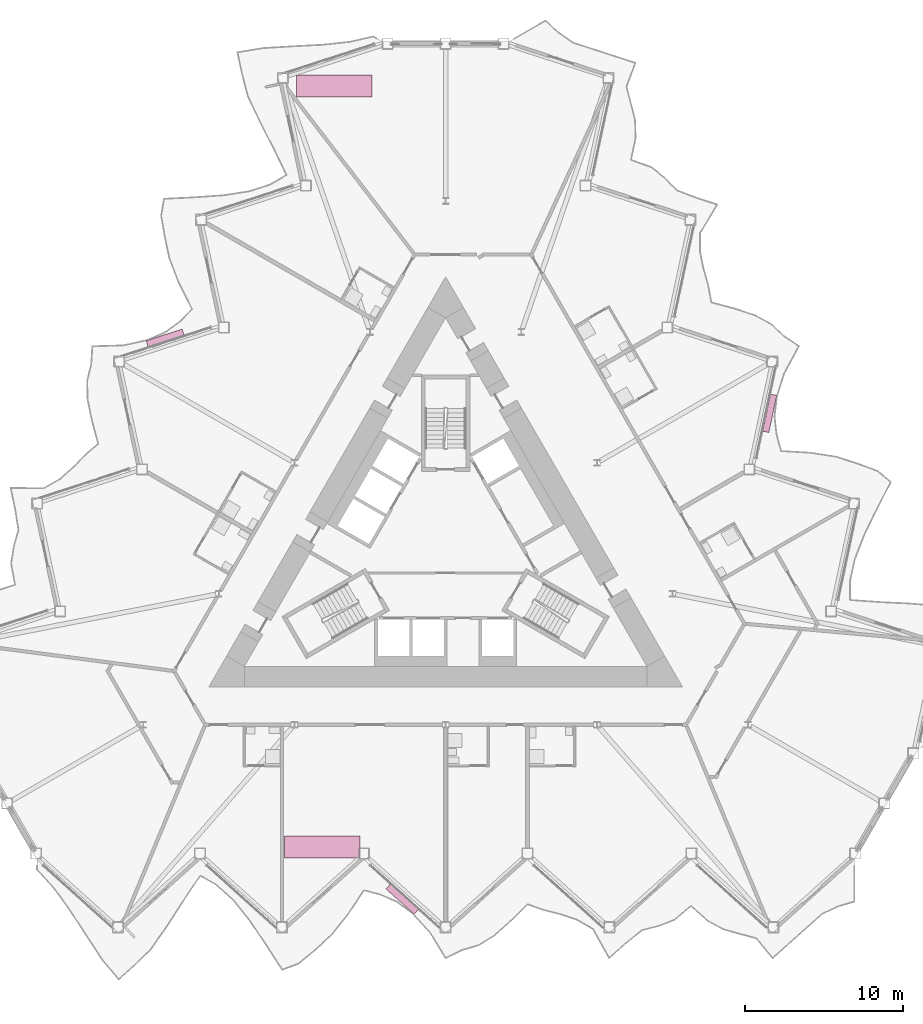
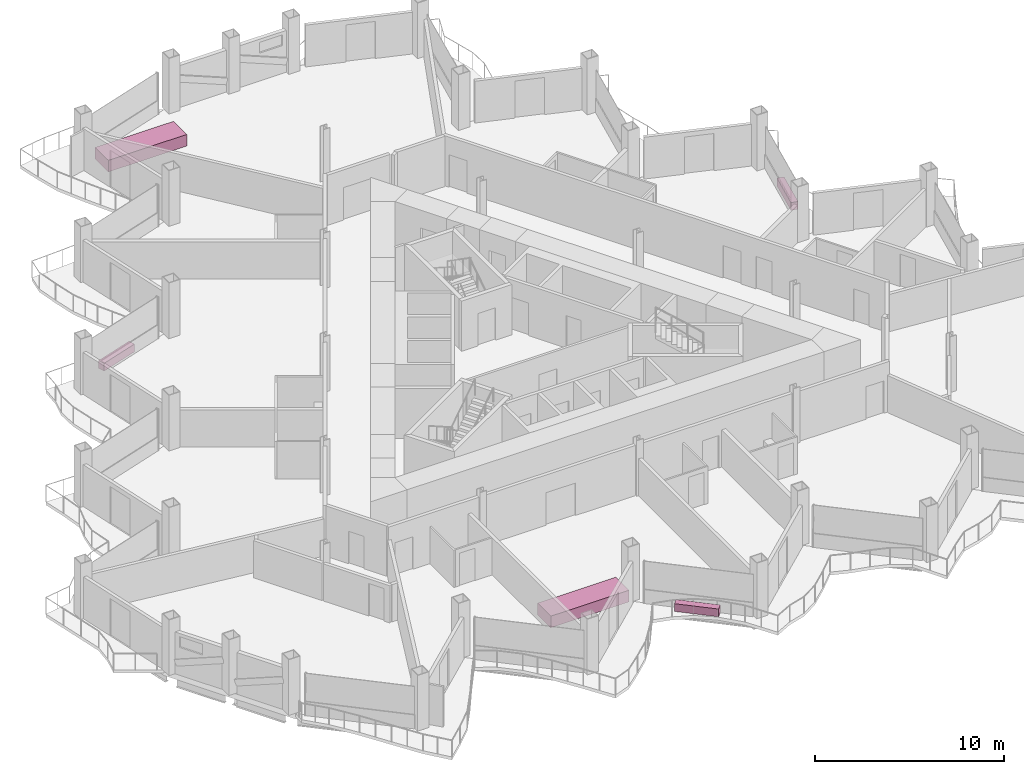
# One storey, part 23 of 23: 5 furniture elements.
"""IFC4 building model written with IfcOpenShell, lengths in metres."""

from ifc_helpers import new_model, si_unit, direction, frame, origin, origin_2d, place, context, subcontext, project, spatial, rectangle, extrude, material, type_object, element, save


model = new_model("IFC4")

# Units and contexts
model_context = context("Model", 3, precision=1e-05, world=origin(), true_north=direction((0.0, 1.0)))
body_context = subcontext(model_context, "Body", "Model", "MODEL_VIEW")
ifc_project = project(units=[si_unit("LENGTHUNIT", "METRE"), si_unit("AREAUNIT", "SQUARE_METRE"), si_unit("VOLUMEUNIT", "CUBIC_METRE"), si_unit("PLANEANGLEUNIT", "RADIAN"), si_unit("MASSUNIT", "GRAM", prefix="KILO")], contexts=[model_context])

# Site, building, storey
site_placement = place(None, origin())
site = spatial("IfcSite", under=ifc_project, at=site_placement, CompositionType="ELEMENT")
building_placement = place(site_placement, origin())
building = spatial("IfcBuilding", under=site, at=building_placement, Name="Cormorant Prow Tower", CompositionType="ELEMENT")
storey_placement = place(building_placement, frame((0.0, 0.0, 252.60009765625)))
storey = spatial("IfcBuildingStorey", under=building, at=storey_placement, Name="L56", CompositionType="ELEMENT", Elevation=252.60009765625)

# Furniture
ifc_material_1 = material(Name="Terracotta", Category="masonry")
furniture_type_1 = type_object("IfcFurnitureType", Name="Balcony planter 2400x400x500", AssemblyPlace="NOTDEFINED", PredefinedType="USERDEFINED", material=ifc_material_1)
for number, where, z_axis, x_axis, name in (
    (1, (-2.757080078125, -22.111083984375, 0.0), (0.0, 0.0, 1.0), (0.743144829063, -0.669130602377, 0.0), "Balcony planter S04"),
    (2, (20.52734375, 8.66796875, 0.0), (0.0, 0.0, 1.0), (0.207911825822, 0.978147572038, 0.0), "Balcony planter ENE04"),
    (3, (-17.770263671875, 13.443115234375, 0.0), (0.0, 0.0, 1.0), (-0.951056492009, -0.309017069121, 0.0), "Balcony planter WNW04"),
):
    element("IfcFurniture", number, at=place(storey_placement, frame(where, z_axis=z_axis, x_axis=x_axis)), inside=storey, type_object=furniture_type_1, Name=name, ObjectType="PLANTER", PredefinedType="USERDEFINED", context=body_context, shape_type="SweptSolid", body=[
        extrude(rectangle(XDim=2.39990234375, YDim=0.39990234375, at=origin_2d()), origin(), (0.0, 0.0, 1.0), 0.5),
    ])
ifc_material_2 = material(Name="Timber joinery", Category="wood")
furniture_type_2 = type_object("IfcFurnitureType", Name="Conference table 4800x1400", AssemblyPlace="NOTDEFINED", PredefinedType="TABLE", material=ifc_material_2)
for number, where, z_axis, x_axis, name in (
    (4, (-7.81396484375, -18.793701171875, 0.0), (0.0, 0.0, 1.0), (1.0, 0.0, 0.0), "Conference table"),
    (5, (-7.060302734375, 29.400390625, 0.0), (0.0, 0.0, 1.0), (1.0, 0.0, 0.0), "Conference table"),
):
    element("IfcFurniture", number, at=place(storey_placement, frame(where, z_axis=z_axis, x_axis=x_axis)), inside=storey, type_object=furniture_type_2, Name=name, PredefinedType="TABLE", context=body_context, shape_type="SweptSolid", body=[
        extrude(rectangle(XDim=4.800048828125, YDim=1.39990234375, at=origin_2d()), origin(), (0.0, 0.0, 1.0), 0.75),
    ])

save(model, "model.ifc")
